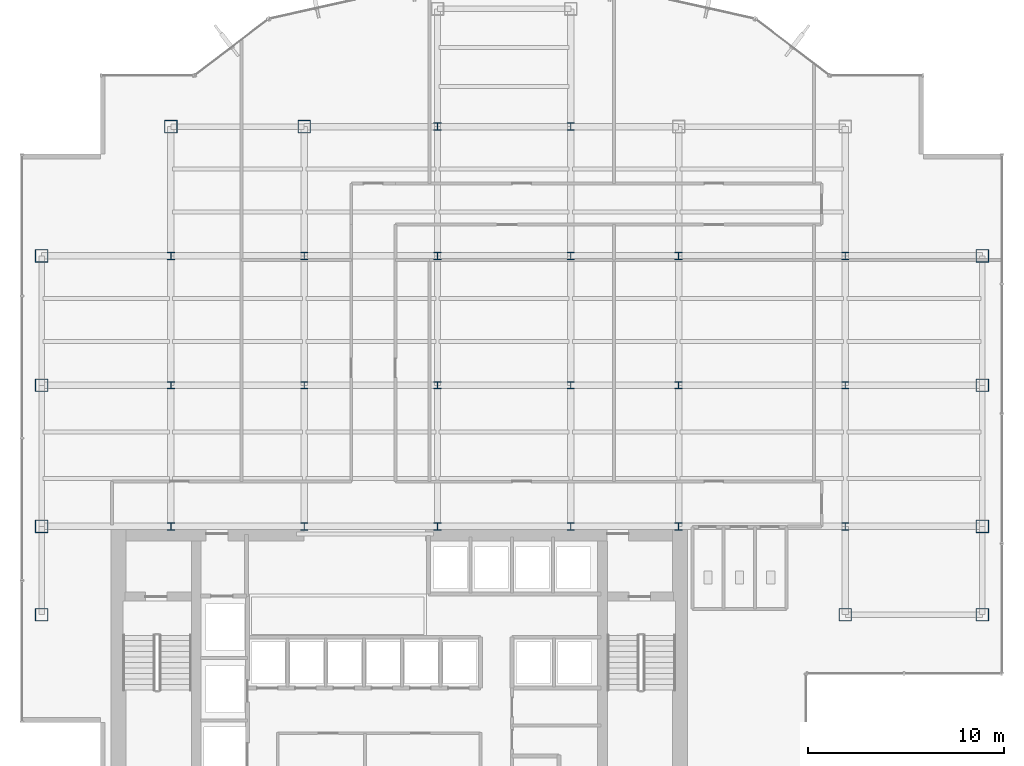
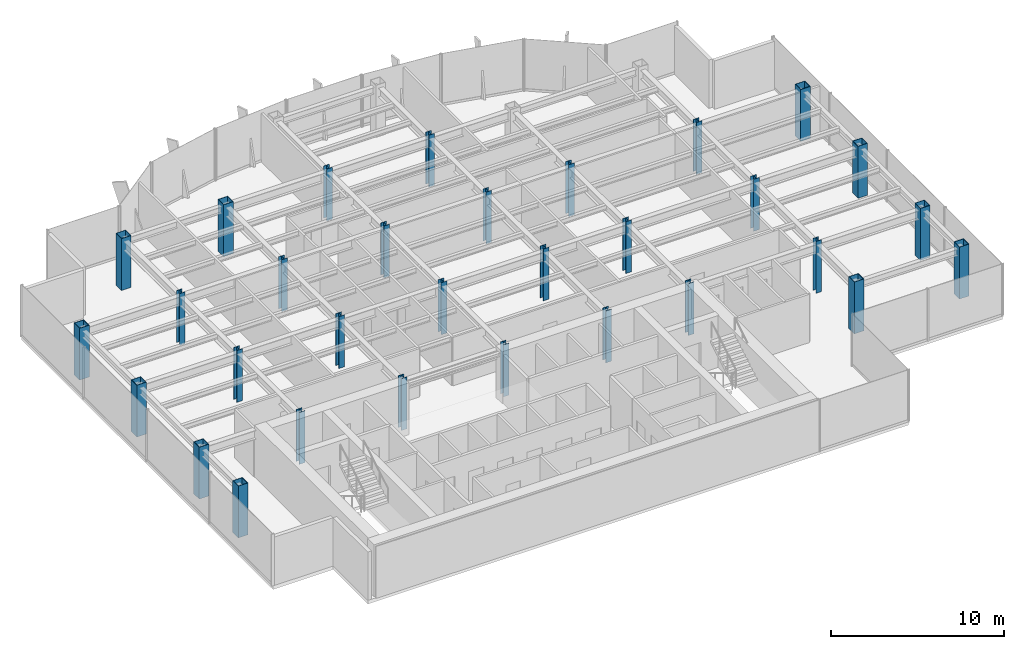
# One storey, part 1 of 25: 31 columns.
"""IFC4 building model written with IfcOpenShell, lengths in metres."""

from ifc_helpers import new_model, si_unit, derived_unit, direction, frame, origin, origin_2d, place, context, subcontext, project, spatial, hollow_rectangle, i_section, extrude, source, transform, mapped, material, material_profile, profile_set, type_object, element, save


model = new_model("IFC4")

# Units and contexts
model_context = context("Model", 3, precision=1e-05, world=origin(), true_north=direction((0.0, 1.0)))
body_context = subcontext(model_context, "Body", "Model", "MODEL_VIEW")
ifc_project = project(units=[si_unit("LENGTHUNIT", "METRE"), si_unit("AREAUNIT", "SQUARE_METRE"), si_unit("VOLUMEUNIT", "CUBIC_METRE"), si_unit("PLANEANGLEUNIT", "RADIAN"), si_unit("MASSUNIT", "GRAM", prefix="KILO"), derived_unit("THERMALTRANSMITTANCEUNIT", [(si_unit("POWERUNIT", "WATT"), 1), (si_unit("LENGTHUNIT", "METRE"), -2), (si_unit("THERMODYNAMICTEMPERATUREUNIT", "KELVIN"), -1)])], contexts=[model_context])

# Site, building, storey
site_placement = place(None, origin())
site = spatial("IfcSite", under=ifc_project, at=site_placement, CompositionType="ELEMENT")
building_placement = place(site_placement, origin())
building = spatial("IfcBuilding", under=site, at=building_placement, Name="Skarnbrae Concourse Arena and Tower", CompositionType="ELEMENT")
storey_placement = place(building_placement, frame((0.0, 0.0, 144.25)))
storey = spatial("IfcBuildingStorey", under=building, at=storey_placement, Name="L36", CompositionType="ELEMENT", Elevation=144.25)

# Columns
ifc_material = material(Name="Steel CSA G40.21 350W", Category="steel")
ifc_material_profile_1 = material_profile(ifc_material, hollow_rectangle(XDim=0.64990234375, YDim=0.64990234375, WallThickness=0.031982421875, at=origin_2d()), Name="BOX650X650X32")
ifc_profile_set_1 = profile_set([ifc_material_profile_1], Name="Steel CSA G40.21 350W")
column_type_1 = type_object("IfcColumnType", Name="COL-TUBE-BOX650", PredefinedType="COLUMN", material=ifc_profile_set_1)
shared_shape_1 = source(origin(), body_context, "Body", "SweptSolid", [
    extrude(hollow_rectangle(XDim=0.64990234375, YDim=0.64990234375, WallThickness=0.031982421875, at=origin_2d()), origin(), (0.0, 0.0, 1.0), 3.64990234375),
])
for number, where, z_axis, x_axis, name in (
    (1, (1.0, 9.5, 0.0), (0.0, 0.0, 1.0), (1.0, 0.0, 0.0), "L36 Tower column PC_01_01"),
    (2, (1.0, 14.0, 0.0), (0.0, 0.0, 1.0), (1.0, 0.0, 0.0), "L36 Tower column PC_01_02"),
    (3, (1.0, 21.199951171875, 0.0), (0.0, 0.0, 1.0), (1.0, 0.0, 0.0), "L36 Tower column PC_01_03"),
    (4, (1.0, 27.800048828125, 0.0), (0.0, 0.0, 1.0), (1.0, 0.0, 0.0), "L36 Tower column PC_01_04"),
    (5, (7.60009765625, 34.39990234375, 0.0), (0.0, 0.0, 1.0), (1.0, 0.0, 0.0), "L36 Tower column PC_02_05"),
    (6, (14.39990234375, 34.39990234375, 0.0), (0.0, 0.0, 1.0), (1.0, 0.0, 0.0), "L36 Tower column PC_03_05"),
    (7, (42.0, 9.5, 0.0), (0.0, 0.0, 1.0), (1.0, 0.0, 0.0), "L36 Tower column PC_07_01"),
    (8, (49.0, 9.5, 0.0), (0.0, 0.0, 1.0), (1.0, 0.0, 0.0), "L36 Tower column PC_08_01"),
    (9, (49.0, 14.0, 0.0), (0.0, 0.0, 1.0), (1.0, 0.0, 0.0), "L36 Tower column PC_08_02"),
    (10, (49.0, 21.199951171875, 0.0), (0.0, 0.0, 1.0), (1.0, 0.0, 0.0), "L36 Tower column PC_08_03"),
    (11, (49.0, 27.800048828125, 0.0), (0.0, 0.0, 1.0), (1.0, 0.0, 0.0), "L36 Tower column PC_08_04"),
):
    element("IfcColumn", number, at=place(storey_placement, frame(where, z_axis=z_axis, x_axis=x_axis)), inside=storey, type_object=column_type_1, Name=name, PredefinedType="COLUMN", context=body_context, shape_type="MappedRepresentation", body=[
        mapped(shared_shape_1, transform((0.0, 0.0, 0.0))),
    ])
ifc_material_profile_2 = material_profile(ifc_material, i_section(OverallWidth=0.3740234375, OverallDepth=0.3720703125, WebThickness=0.016357421875, FlangeThickness=0.026123046875, at=origin_2d()), Name="W360X196")
ifc_profile_set_2 = profile_set([ifc_material_profile_2], Name="Steel CSA G40.21 350W")
column_type_2 = type_object("IfcColumnType", Name="COL-INT-W360X196", PredefinedType="COLUMN", material=ifc_profile_set_2)
shared_shape_2 = source(origin(), body_context, "Body", "SweptSolid", [
    extrude(i_section(OverallWidth=0.3740234375, OverallDepth=0.3720703125, WebThickness=0.016357421875, FlangeThickness=0.026123046875, at=origin_2d()), origin(), (0.0, 0.0, 1.0), 3.64990234375),
])
for number, where, z_axis, x_axis, name in (
    (12, (7.60009765625, 14.0, 0.0), (0.0, 0.0, 1.0), (1.0, 0.0, 0.0), "L36 Tower column IC_02_02"),
    (13, (7.60009765625, 21.199951171875, 0.0), (0.0, 0.0, 1.0), (1.0, 0.0, 0.0), "L36 Tower column IC_02_03"),
    (14, (7.60009765625, 27.800048828125, 0.0), (0.0, 0.0, 1.0), (1.0, 0.0, 0.0), "L36 Tower column IC_02_04"),
    (15, (14.39990234375, 14.0, 0.0), (0.0, 0.0, 1.0), (1.0, 0.0, 0.0), "L36 Tower column IC_03_02"),
    (16, (14.39990234375, 21.199951171875, 0.0), (0.0, 0.0, 1.0), (1.0, 0.0, 0.0), "L36 Tower column IC_03_03"),
    (17, (14.39990234375, 27.800048828125, 0.0), (0.0, 0.0, 1.0), (1.0, 0.0, 0.0), "L36 Tower column IC_03_04"),
    (18, (21.199951171875, 14.0, 0.0), (0.0, 0.0, 1.0), (1.0, 0.0, 0.0), "L36 Tower column IC_04_02"),
    (19, (21.199951171875, 21.199951171875, 0.0), (0.0, 0.0, 1.0), (1.0, 0.0, 0.0), "L36 Tower column IC_04_03"),
    (20, (21.199951171875, 27.800048828125, 0.0), (0.0, 0.0, 1.0), (1.0, 0.0, 0.0), "L36 Tower column IC_04_04"),
    (21, (21.199951171875, 34.39990234375, 0.0), (0.0, 0.0, 1.0), (1.0, 0.0, 0.0), "L36 Tower column IC_04_05"),
    (22, (28.0, 14.0, 0.0), (0.0, 0.0, 1.0), (1.0, 0.0, 0.0), "L36 Tower column IC_05_02"),
    (23, (28.0, 21.199951171875, 0.0), (0.0, 0.0, 1.0), (1.0, 0.0, 0.0), "L36 Tower column IC_05_03"),
    (24, (28.0, 27.800048828125, 0.0), (0.0, 0.0, 1.0), (1.0, 0.0, 0.0), "L36 Tower column IC_05_04"),
    (25, (28.0, 34.39990234375, 0.0), (0.0, 0.0, 1.0), (1.0, 0.0, 0.0), "L36 Tower column IC_05_05"),
    (26, (33.5, 14.0, 0.0), (0.0, 0.0, 1.0), (1.0, 0.0, 0.0), "L36 Tower column IC_06_02"),
    (27, (33.5, 21.199951171875, 0.0), (0.0, 0.0, 1.0), (1.0, 0.0, 0.0), "L36 Tower column IC_06_03"),
    (28, (33.5, 27.800048828125, 0.0), (0.0, 0.0, 1.0), (1.0, 0.0, 0.0), "L36 Tower column IC_06_04"),
    (29, (42.0, 14.0, 0.0), (0.0, 0.0, 1.0), (1.0, 0.0, 0.0), "L36 Tower column IC_07_02"),
    (30, (42.0, 21.199951171875, 0.0), (0.0, 0.0, 1.0), (1.0, 0.0, 0.0), "L36 Tower column IC_07_03"),
    (31, (42.0, 27.800048828125, 0.0), (0.0, 0.0, 1.0), (1.0, 0.0, 0.0), "L36 Tower column IC_07_04"),
):
    element("IfcColumn", number, at=place(storey_placement, frame(where, z_axis=z_axis, x_axis=x_axis)), inside=storey, type_object=column_type_2, Name=name, PredefinedType="COLUMN", context=body_context, shape_type="MappedRepresentation", body=[
        mapped(shared_shape_2, transform((0.0, 0.0, 0.0))),
    ])

save(model, "model.ifc")
